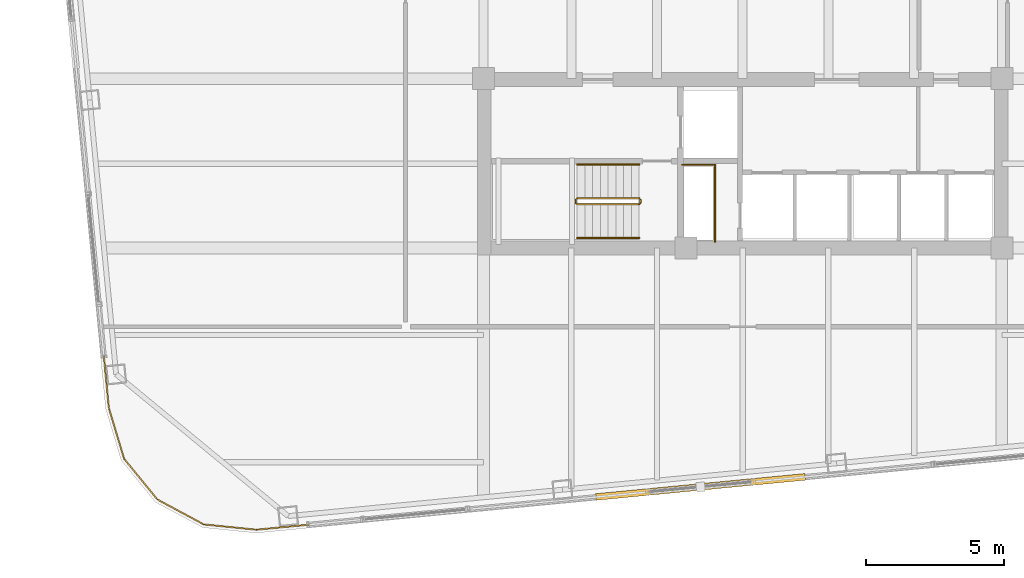
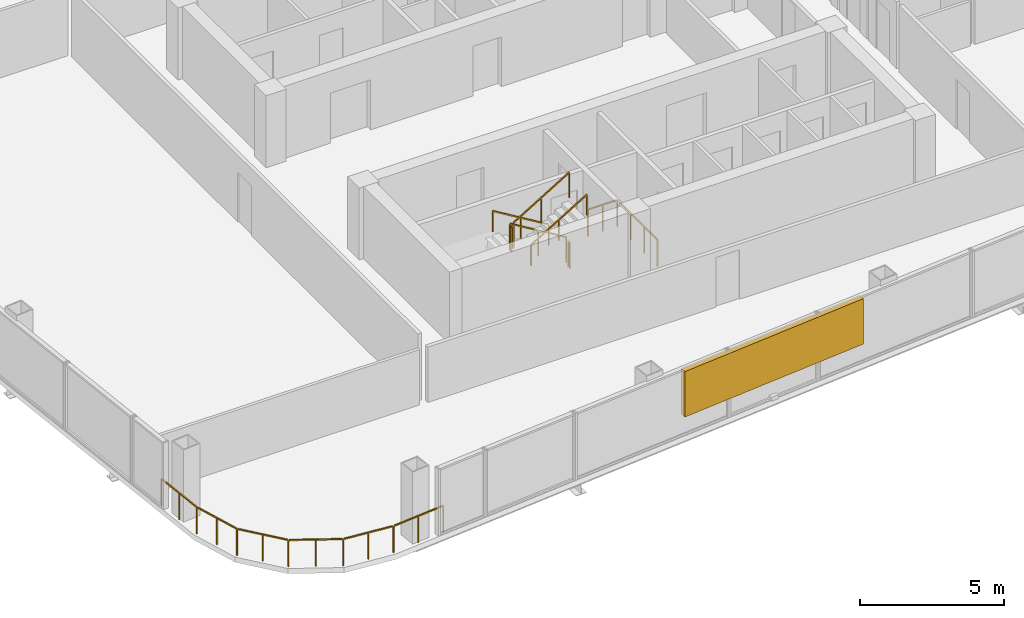
# One storey, part 19 of 21: 8 railings, 1 shading device.
"""IFC4 building model written with IfcOpenShell, lengths in metres."""

import ifcopenshell
import ifcopenshell.guid

model = None  # the IFC model being written
_history = None  # IfcOwnerHistory: only IFC2X3 demands one
_inside = {}  # id of a spatial element -> (the spatial element, [elements in it])
_under = {}  # id of a project, library or spatial element -> (it, [spatial elements below it])
_declared = {}  # id of a project -> (the project, [libraries it declares])
_typed = {}  # id of a type object -> (the type object, [elements of that type])
_made_of = {}  # id of a material, layer set ... -> (it, [elements and type objects made of it])


def new_model(schema):
    """Start an empty IFC model of exactly this schema.

    Asked for "IFC4X3", IfcOpenShell would pick the latest addendum, in which some entities
    have other attributes; the version numbers below select the first issue.
    IFC2X3 requires an IfcOwnerHistory on every rooted entity: one is made here for all.
    """
    global model, _history
    if schema == "IFC4X3":
        model = ifcopenshell.file(schema_version=(4, 3, 0, 0))
    else:
        model = ifcopenshell.file(schema=schema)
    _inside.clear()
    _under.clear()
    _declared.clear()
    _typed.clear()
    _made_of.clear()
    _history = None
    if model.schema == "IFC2X3":
        org = make("IfcOrganization", Name="unknown")
        user = make(
            "IfcPersonAndOrganization",
            ThePerson=make("IfcPerson", FamilyName="unknown"),
            TheOrganization=org,
        )
        app = make(
            "IfcApplication",
            ApplicationDeveloper=org,
            Version="unknown",
            ApplicationFullName="unknown",
            ApplicationIdentifier="unknown",
        )
        _history = make(
            "IfcOwnerHistory",
            OwningUser=user,
            OwningApplication=app,
            ChangeAction="ADDED",
            CreationDate=0,
        )
    return model


def make(cls, **values):
    """One entity of the class cls with the attributes given. An attribute that is None is left unset."""
    return model.create_entity(
        cls, **{name: value for name, value in values.items() if value is not None}
    )


def rooted(cls, **values):
    """An entity with a GlobalId (a new one), such as an element, a storey or a relation."""
    return make(cls, GlobalId=ifcopenshell.guid.new(), OwnerHistory=_history, **values)


def si_unit(unit_type, name, prefix=None):
    """IfcSIUnit, for example si_unit("LENGTHUNIT", "METRE", prefix="MILLI")."""
    return make("IfcSIUnit", UnitType=unit_type, Prefix=prefix, Name=name)


def assignment(units):
    """IfcUnitAssignment: the units of a project."""
    return None if units is None else make("IfcUnitAssignment", Units=units)


def point(xyz):
    """IfcCartesianPoint."""
    return None if xyz is None else make("IfcCartesianPoint", Coordinates=xyz)


def direction(xyz):
    """IfcDirection."""
    return None if xyz is None else make("IfcDirection", DirectionRatios=xyz)


def frame(location, z_axis=None, x_axis=None):
    """IfcAxis2Placement3D, a coordinate frame: its origin and axes. An axis left out is left unset."""
    return make(
        "IfcAxis2Placement3D",
        Location=point(location),
        Axis=direction(z_axis),
        RefDirection=direction(x_axis),
    )


def frame_2d(location, x_axis=None):
    """IfcAxis2Placement2D, a coordinate frame in the plane: its origin and x axis."""
    return make(
        "IfcAxis2Placement2D", Location=point(location), RefDirection=direction(x_axis)
    )


def origin():
    """The frame at (0, 0, 0) with its axes left unset."""
    return frame((0.0, 0.0, 0.0))


def origin_2d():
    """The frame at (0, 0) in the plane with its x axis left unset."""
    return frame_2d((0.0, 0.0))


def place(relative_to, where):
    """IfcLocalPlacement: puts the frame where relative to a parent placement (None: the world)."""
    return make(
        "IfcLocalPlacement", PlacementRelTo=relative_to, RelativePlacement=where
    )


def context(
    kind, dimensions, precision=None, world=None, true_north=None, identifier=None
):
    """IfcGeometricRepresentationContext, for example the 3D "Model" context."""
    return make(
        "IfcGeometricRepresentationContext",
        ContextIdentifier=identifier,
        ContextType=kind,
        CoordinateSpaceDimension=dimensions,
        Precision=precision,
        WorldCoordinateSystem=world,
        TrueNorth=true_north,
    )


def subcontext(parent, identifier, kind, view, scale=None):
    """IfcGeometricRepresentationSubContext, for example "Body" below "Model"."""
    return make(
        "IfcGeometricRepresentationSubContext",
        ContextIdentifier=identifier,
        ContextType=kind,
        ParentContext=parent,
        TargetScale=scale,
        TargetView=view,
    )


def project(units=None, contexts=None):
    """IfcProject with its units and contexts."""
    return rooted(
        "IfcProject",
        Name="project",
        RepresentationContexts=contexts,
        UnitsInContext=assignment(units),
    )


def spatial(cls, under=None, at=None, **own):
    """A site, building, storey or space (cls), placed at a placement, below another one or the project."""
    s = rooted(cls, ObjectPlacement=at, **own)
    if under is not None:
        _under.setdefault(under.id(), (under, []))[1].append(s)
    return s


def profile(cls, at=None, kind="AREA", **sizes):
    """A parametric profile (cls). Its sizes go by their IFC names, for example OverallWidth=200.0."""
    return make(cls, ProfileType=kind, Position=at, **sizes)


def rectangle(**sizes):
    """IfcRectangleProfileDef."""
    return profile("IfcRectangleProfileDef", **sizes)


def extrude(swept, where, along, depth):
    """IfcExtrudedAreaSolid: the profile swept, set in the frame where, extruded along a direction by depth."""
    return make(
        "IfcExtrudedAreaSolid",
        SweptArea=swept,
        Position=where,
        ExtrudedDirection=direction(along),
        Depth=depth,
    )


def shape(context_of_items, identifier, shape_type, items):
    """IfcShapeRepresentation: the items that make up one representation, for example the "Body"."""
    return make(
        "IfcShapeRepresentation",
        ContextOfItems=context_of_items,
        RepresentationIdentifier=identifier,
        RepresentationType=shape_type,
        Items=items,
    )


def material(Name=None, Category=None):
    """IfcMaterial."""
    return make("IfcMaterial", Name=Name, Category=Category)


def made_of(thing, what):
    """Note that an element or type object is made of a material, layer set ...; save() writes the relation."""
    if what is not None:
        _made_of.setdefault(what.id(), (what, []))[1].append(thing)
    return thing


def type_object(cls, material=None, **own):
    """A type object (cls), such as IfcWallType, which elements share."""
    return made_of(rooted(cls, **own), material)


def element(
    cls,
    number,
    at=None,
    inside=None,
    cuts=None,
    type_object=None,
    material=None,
    context=None,
    identifier="Body",
    shape_type=None,
    held_by="IfcProductDefinitionShape",
    body=None,
    shapes=None,
    **own,
):
    """One element of the class cls, such as IfcWall. Its Tag is "e" and its number.

    at: its placement. inside: the storey or other place that contains it. cuts: it is an
    opening in that element (IfcRelVoidsElement). A single representation is given by context,
    identifier, shape_type and body (its items); several are given by shapes. held_by: the class
    of the entity that holds the representations. save() writes the other relations.
    """
    e = rooted(cls, Tag="e%d" % number, ObjectPlacement=at, **own)
    if body is not None:
        shapes = [shape(context, identifier, shape_type, body)]
    if shapes is not None:
        e.Representation = make(held_by, Representations=shapes)
    if inside is not None:
        _inside.setdefault(inside.id(), (inside, []))[1].append(e)
    if cuts is not None:
        rooted(
            "IfcRelVoidsElement", RelatingBuildingElement=cuts, RelatedOpeningElement=e
        )
    if type_object is not None:
        _typed.setdefault(type_object.id(), (type_object, []))[1].append(e)
    return made_of(e, material)


def aggregate(whole, parts):
    """IfcRelAggregates: a whole, such as a stair, and the parts it consists of."""
    return rooted("IfcRelAggregates", RelatingObject=whole, RelatedObjects=parts)


def save(model, path):
    """Write the relations noted so far, then the file.

    IfcRelAggregates (storeys below a building ...), IfcRelContainedInSpatialStructure (elements
    in a storey), IfcRelDefinesByType, IfcRelAssociatesMaterial and IfcRelDeclares: one each for
    every whole, place, type object, material and project.
    """
    for whole, parts in _under.values():
        aggregate(whole, parts)
    for where, things in _inside.values():
        rooted(
            "IfcRelContainedInSpatialStructure",
            RelatedElements=things,
            RelatingStructure=where,
        )
    for kind, things in _typed.values():
        rooted("IfcRelDefinesByType", RelatedObjects=things, RelatingType=kind)
    for what, things in _made_of.values():
        rooted("IfcRelAssociatesMaterial", RelatedObjects=things, RelatingMaterial=what)
    for by, libraries in _declared.values():
        rooted("IfcRelDeclares", RelatingContext=by, RelatedDefinitions=libraries)
    model.write(path)


model = new_model("IFC4")

# Units and contexts
model_context = context("Model", 3, precision=1e-05, world=origin(), true_north=direction((0.0, 1.0)))
body_context = subcontext(model_context, "Body", "Model", "MODEL_VIEW")
ifc_project = project(units=[si_unit("LENGTHUNIT", "METRE"), si_unit("AREAUNIT", "SQUARE_METRE"), si_unit("VOLUMEUNIT", "CUBIC_METRE"), si_unit("PLANEANGLEUNIT", "RADIAN"), si_unit("MASSUNIT", "GRAM", prefix="KILO")], contexts=[model_context])

# Site, building, storey
site_placement = place(None, origin())
site = spatial("IfcSite", under=ifc_project, at=site_placement, CompositionType="ELEMENT")
building_placement = place(site_placement, origin())
building = spatial("IfcBuilding", under=site, at=building_placement, Name="Qhalaya Broadcast Tower", CompositionType="ELEMENT")
storey_placement = place(building_placement, frame((0.0, 0.0, 162.25)))
storey = spatial("IfcBuildingStorey", under=building, at=storey_placement, Name="L47", CompositionType="ELEMENT", Elevation=162.25)

# Railings
ifc_material_1 = material(Name="Powder-Coated Galvanised Steel", Category="steel")
railing_type_1 = type_object("IfcRailingType", Name="Stair Wall Handrail 900", PredefinedType="HANDRAIL", material=ifc_material_1)
railing_1_placement = place(storey_placement, frame((-3.75, -5.72998046875, 0.16943359375)))
element("IfcRailing", 1, at=railing_1_placement, inside=storey, type_object=railing_type_1, Name="L47 ST-2 Stair Handrail 1", PredefinedType="HANDRAIL", context=body_context, shape_type="SweptSolid", body=[
    extrude(rectangle(XDim=0.048095703125, YDim=0.048095703125, at=origin_2d()), frame((0.0, 0.0, 0.8759765625), z_axis=(-0.855553338991, 0.0, 0.51771467445), x_axis=(0.0, -1.0, 0.0)), (0.0, 0.0, 1.0), 2.6181640625),
    extrude(rectangle(XDim=0.0419921875, YDim=0.0419921875, at=origin_2d()), origin(), (0.0, 0.0, 1.0), 0.849853515625),
    extrude(rectangle(XDim=0.0419921875, YDim=0.0419921875, at=origin_2d()), frame((-1.1201171875, 0.0, 0.677734375)), (0.0, 0.0, 1.0), 0.849853515625),
    extrude(rectangle(XDim=0.0419921875, YDim=0.0419921875, at=origin_2d()), frame((-2.239990234375, 0.0, 1.35546875)), (0.0, 0.0, 1.0), 0.849853515625),
])
railing_2_placement = place(storey_placement, frame((-5.989990234375, -8.389892578125, 1.6943359375)))
element("IfcRailing", 2, at=railing_2_placement, inside=storey, type_object=railing_type_1, Name="L47 ST-2 Stair Handrail 2", PredefinedType="HANDRAIL", context=body_context, shape_type="SweptSolid", body=[
    extrude(rectangle(XDim=0.048095703125, YDim=0.048095703125, at=origin_2d()), frame((0.0, 0.0, 0.8759765625), z_axis=(0.855512035549, 0.0, 0.517782924622), x_axis=(0.0, 1.0, 0.0)), (0.0, 0.0, 1.0), 2.618408203125),
    extrude(rectangle(XDim=0.0419921875, YDim=0.0419921875, at=origin_2d()), origin(), (0.0, 0.0, 1.0), 0.849853515625),
    extrude(rectangle(XDim=0.0419921875, YDim=0.0419921875, at=origin_2d()), frame((1.1201171875, 0.0, 0.677734375)), (0.0, 0.0, 1.0), 0.849853515625),
    extrude(rectangle(XDim=0.0419921875, YDim=0.0419921875, at=origin_2d()), frame((2.239990234375, 0.0, 1.355712890625)), (0.0, 0.0, 1.0), 0.849853515625),
])
railing_type_2 = type_object("IfcRailingType", Name="Stair Well & Landing Guardrail 1100", PredefinedType="GUARDRAIL", material=ifc_material_1)
railing_3_placement = place(storey_placement, frame((-1.0, -8.52001953125, 0.0)))
element("IfcRailing", 3, at=railing_3_placement, inside=storey, type_object=railing_type_2, Name="L47 Service Riser Opening Safety Guard SRSR", PredefinedType="GUARDRAIL", context=body_context, shape_type="SweptSolid", body=[
    extrude(rectangle(XDim=0.048095703125, YDim=0.048095703125, at=origin_2d()), frame((0.0, 0.0, 1.1259765625), z_axis=(0.0, 1.0, 0.0), x_axis=(-1.0, 0.0, 0.0)), (0.0, 0.0, 1.0), 2.751220703125),
    extrude(rectangle(XDim=0.048095703125, YDim=0.048095703125, at=origin_2d()), frame((-0.02880859375, 2.780029296875, 1.1259765625), z_axis=(-1.0, 0.0, 0.0), x_axis=(0.0, -1.0, 0.0)), (0.0, 0.0, 1.0), 1.151123046875),
    extrude(rectangle(XDim=0.0419921875, YDim=0.0419921875, at=origin_2d()), origin(), (0.0, 0.0, 1.0), 1.099853515625),
    extrude(rectangle(XDim=0.0419921875, YDim=0.0419921875, at=origin_2d()), frame((0.0, 0.9267578125, 0.0)), (0.0, 0.0, 1.0), 1.099853515625),
    extrude(rectangle(XDim=0.0419921875, YDim=0.0419921875, at=origin_2d()), frame((0.0, 1.853271484375, 0.0)), (0.0, 0.0, 1.0), 1.099853515625),
    extrude(rectangle(XDim=0.0419921875, YDim=0.0419921875, at=origin_2d()), frame((0.0, 2.780029296875, 0.0)), (0.0, 0.0, 1.0), 1.099853515625),
    extrude(rectangle(XDim=0.0419921875, YDim=0.0419921875, at=origin_2d()), frame((-0.58984375, 2.780029296875, 0.0)), (0.0, 0.0, 1.0), 1.099853515625),
    extrude(rectangle(XDim=0.0419921875, YDim=0.0419921875, at=origin_2d()), frame((-1.179931640625, 2.780029296875, 0.0)), (0.0, 0.0, 1.0), 1.099853515625),
])
railing_4_placement = place(storey_placement, frame((-3.75, -6.949951171875, 0.16943359375)))
element("IfcRailing", 4, at=railing_4_placement, inside=storey, type_object=railing_type_2, Name="L47 ST-2 Stair Guard 1", PredefinedType="GUARDRAIL", context=body_context, shape_type="SweptSolid", body=[
    extrude(rectangle(XDim=0.048095703125, YDim=0.048095703125, at=origin_2d()), frame((0.0, 0.0, 1.076171875), z_axis=(-0.855553338991, 0.0, 0.51771467445), x_axis=(0.0, -1.0, 0.0)), (0.0, 0.0, 1.0), 2.6181640625),
    extrude(rectangle(XDim=0.0419921875, YDim=0.0419921875, at=origin_2d()), origin(), (0.0, 0.0, 1.0), 1.050048828125),
    extrude(rectangle(XDim=0.0419921875, YDim=0.0419921875, at=origin_2d()), frame((-1.1201171875, 0.0, 0.677734375)), (0.0, 0.0, 1.0), 1.050048828125),
    extrude(rectangle(XDim=0.0419921875, YDim=0.0419921875, at=origin_2d()), frame((-2.239990234375, 0.0, 1.35546875)), (0.0, 0.0, 1.0), 1.050048828125),
])
railing_5_placement = place(storey_placement, frame((-6.0400390625, -7.0, 1.52490234375)))
element("IfcRailing", 5, at=railing_5_placement, inside=storey, type_object=railing_type_2, Name="L47 ST-2 Stair Guard 2", PredefinedType="GUARDRAIL", context=body_context, shape_type="SweptSolid", body=[
    extrude(rectangle(XDim=0.048095703125, YDim=0.048095703125, at=origin_2d()), frame((0.0, 0.0, 1.076171875), z_axis=(0.0, -1.0, 0.0), x_axis=(1.0, 0.0, 0.0)), (0.0, 0.0, 1.0), 0.1201171875),
    extrude(rectangle(XDim=0.0419921875, YDim=0.0419921875, at=origin_2d()), origin(), (0.0, 0.0, 1.0), 1.050048828125),
    extrude(rectangle(XDim=0.0419921875, YDim=0.0419921875, at=origin_2d()), frame((0.0, -0.1201171875, 0.0)), (0.0, 0.0, 1.0), 1.050048828125),
])
railing_6_placement = place(storey_placement, frame((-5.989990234375, -7.169921875, 1.6943359375)))
element("IfcRailing", 6, at=railing_6_placement, inside=storey, type_object=railing_type_2, Name="L47 ST-2 Stair Guard 3", PredefinedType="GUARDRAIL", context=body_context, shape_type="SweptSolid", body=[
    extrude(rectangle(XDim=0.048095703125, YDim=0.048095703125, at=origin_2d()), frame((0.0, 0.0, 1.076171875), z_axis=(0.855512035549, 0.0, 0.517782924622), x_axis=(0.0, 1.0, 0.0)), (0.0, 0.0, 1.0), 2.618408203125),
    extrude(rectangle(XDim=0.0419921875, YDim=0.0419921875, at=origin_2d()), origin(), (0.0, 0.0, 1.0), 1.050048828125),
    extrude(rectangle(XDim=0.0419921875, YDim=0.0419921875, at=origin_2d()), frame((1.1201171875, 0.0, 0.677734375)), (0.0, 0.0, 1.0), 1.050048828125),
    extrude(rectangle(XDim=0.0419921875, YDim=0.0419921875, at=origin_2d()), frame((2.239990234375, 0.0, 1.355712890625)), (0.0, 0.0, 1.0), 1.050048828125),
])
railing_7_placement = place(storey_placement, frame((-3.699951171875, -7.0, 0.0)))
element("IfcRailing", 7, at=railing_7_placement, inside=storey, type_object=railing_type_2, Name="L47 ST-2 Stair Guard 4", PredefinedType="GUARDRAIL", context=body_context, shape_type="SweptSolid", body=[
    extrude(rectangle(XDim=0.048095703125, YDim=0.048095703125, at=origin_2d()), frame((0.0, 0.0, 1.076171875), z_axis=(0.0, -1.0, 0.0), x_axis=(1.0, 0.0, 0.0)), (0.0, 0.0, 1.0), 0.1201171875),
    extrude(rectangle(XDim=0.0419921875, YDim=0.0419921875, at=origin_2d()), origin(), (0.0, 0.0, 1.0), 1.050048828125),
    extrude(rectangle(XDim=0.0419921875, YDim=0.0419921875, at=origin_2d()), frame((0.0, -0.1201171875, 0.0)), (0.0, 0.0, 1.0), 1.050048828125),
])
railing_type_3 = type_object("IfcRailingType", Name="Terrace, Sky-Pool & Lookout Glass Balustrade 1150", PredefinedType="BALUSTRADE", material=ifc_material_1)
railing_8_placement = place(storey_placement, frame((-15.479736328125, -18.73681640625, 0.0)))
element("IfcRailing", 8, at=railing_8_placement, inside=storey, type_object=railing_type_3, Name="L47 Rounded Corner Perimeter Guard 02", PredefinedType="BALUSTRADE", context=body_context, shape_type="SweptSolid", body=[
    extrude(rectangle(XDim=0.048095703125, YDim=0.048095703125, at=origin_2d()), frame((0.0, 0.0, 1.1259765625), z_axis=(-0.995391273094, -0.095896889673, 0.0), x_axis=(0.095896889673, -0.995391273094, 0.0)), (0.0, 0.0, 1.0), 2.08935546875),
    extrude(rectangle(XDim=0.048095703125, YDim=0.048095703125, at=origin_2d()), frame((-2.13720703125, -0.2001953125, 1.1259765625), z_axis=(-0.994968808814, 0.100185175984, 0.0), x_axis=(-0.100185175984, -0.994968808814, 0.0)), (0.0, 0.0, 1.0), 1.857666015625),
    extrude(rectangle(XDim=0.048095703125, YDim=0.048095703125, at=origin_2d()), frame((-4.03955078125, 0.00244140625, 1.1259765625), z_axis=(-0.880932037714, 0.473242797018, 0.0), x_axis=(-0.473242797018, -0.880932037714, 0.0)), (0.0, 0.0, 1.0), 1.845458984375),
    extrude(rectangle(XDim=0.048095703125, YDim=0.048095703125, at=origin_2d()), frame((-5.708984375, 0.911865234375, 1.1259765625), z_axis=(-0.632671796541, 0.774420039683, 0.0), x_axis=(-0.774420039683, -0.632671796541, 0.0)), (0.0, 0.0, 1.0), 1.845458984375),
    extrude(rectangle(XDim=0.048095703125, YDim=0.048095703125, at=origin_2d()), frame((-6.903076171875, 2.390869140625, 1.1259765625), z_axis=(-0.288213171456, 0.95756627332, 0.0), x_axis=(-0.95756627332, -0.288213171456, 0.0)), (0.0, 0.0, 1.0), 1.857421875),
    extrude(rectangle(XDim=0.048095703125, YDim=0.048095703125, at=origin_2d()), frame((-7.449462890625, 4.22607421875, 1.1259765625), z_axis=(-0.095782687057, 0.995402268864, 0.0), x_axis=(-0.995402268864, -0.095782687057, 0.0)), (0.0, 0.0, 1.0), 2.08935546875),
    extrude(rectangle(XDim=0.0419921875, YDim=0.0419921875, at=origin_2d()), origin(), (0.0, 0.0, 1.0), 1.099853515625),
    extrude(rectangle(XDim=0.0419921875, YDim=0.0419921875, at=origin_2d()), frame((-1.05419921875, -0.1015625, 0.0)), (0.0, 0.0, 1.0), 1.099853515625),
    extrude(rectangle(XDim=0.0419921875, YDim=0.0419921875, at=origin_2d()), frame((-2.1083984375, -0.203125, 0.0)), (0.0, 0.0, 1.0), 1.099853515625),
    extrude(rectangle(XDim=0.0419921875, YDim=0.0419921875, at=origin_2d()), frame((-3.061279296875, -0.107177734375, 0.0)), (0.0, 0.0, 1.0), 1.099853515625),
    extrude(rectangle(XDim=0.0419921875, YDim=0.0419921875, at=origin_2d()), frame((-4.01416015625, -0.01123046875, 0.0)), (0.0, 0.0, 1.0), 1.099853515625),
    extrude(rectangle(XDim=0.0419921875, YDim=0.0419921875, at=origin_2d()), frame((-4.8525390625, 0.43896484375, 0.0)), (0.0, 0.0, 1.0), 1.099853515625),
    extrude(rectangle(XDim=0.0419921875, YDim=0.0419921875, at=origin_2d()), frame((-5.690673828125, 0.889404296875, 0.0)), (0.0, 0.0, 1.0), 1.099853515625),
    extrude(rectangle(XDim=0.0419921875, YDim=0.0419921875, at=origin_2d()), frame((-6.292724609375, 1.62646484375, 0.0)), (0.0, 0.0, 1.0), 1.099853515625),
    extrude(rectangle(XDim=0.0419921875, YDim=0.0419921875, at=origin_2d()), frame((-6.894775390625, 2.36328125, 0.0)), (0.0, 0.0, 1.0), 1.099853515625),
    extrude(rectangle(XDim=0.0419921875, YDim=0.0419921875, at=origin_2d()), frame((-7.1708984375, 3.2802734375, 0.0)), (0.0, 0.0, 1.0), 1.099853515625),
    extrude(rectangle(XDim=0.0419921875, YDim=0.0419921875, at=origin_2d()), frame((-7.44677734375, 4.197265625, 0.0)), (0.0, 0.0, 1.0), 1.099853515625),
    extrude(rectangle(XDim=0.0419921875, YDim=0.0419921875, at=origin_2d()), frame((-7.54833984375, 5.25146484375, 0.0)), (0.0, 0.0, 1.0), 1.099853515625),
    extrude(rectangle(XDim=0.0419921875, YDim=0.0419921875, at=origin_2d()), frame((-7.649658203125, 6.3056640625, 0.0)), (0.0, 0.0, 1.0), 1.099853515625),
])

# Shading device
ifc_material_2 = material(Name="Fired Architectural Terracotta", Category="masonry")
shading_device_type = type_object("IfcShadingDeviceType", Name="Terracotta Baguette Solar Screen Assembly TBS-01", PredefinedType="USERDEFINED", material=ifc_material_2)
shading_device_placement = place(storey_placement, frame((-1.5244140625, -17.393310546875, 0.79248046875), z_axis=(0.0, 0.0, 1.0), x_axis=(0.995396198367, 0.09584575252, 0.0)))
element("IfcShadingDevice", 9, at=shading_device_placement, inside=storey, type_object=shading_device_type, Name="L47 Fired Terracotta Baguette Screen S", ObjectType="BAGUETTE", PredefinedType="USERDEFINED", context=body_context, shape_type="SweptSolid", body=[
    extrude(rectangle(XDim=7.60009765625, YDim=0.239990234375, at=origin_2d()), origin(), (0.0, 0.0, 1.0), 1.924072265625),
])

save(model, "model.ifc")
